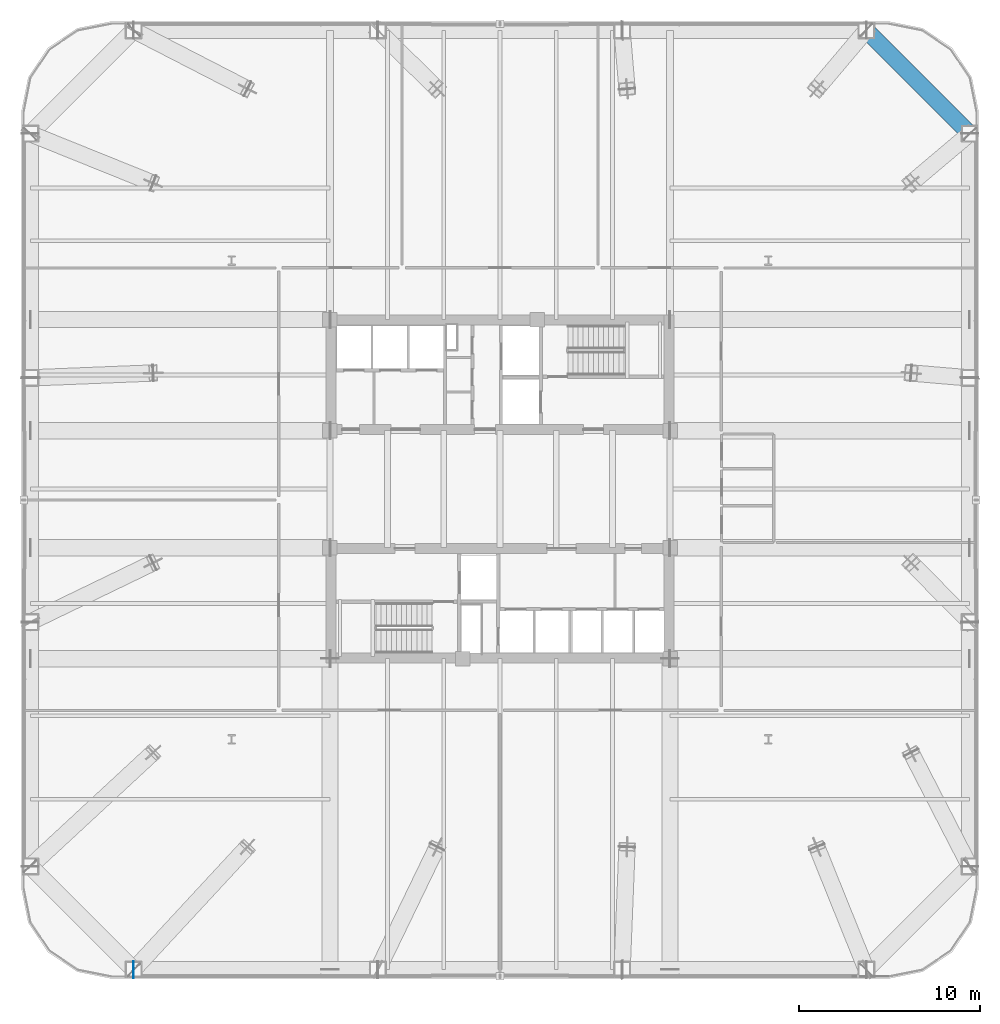
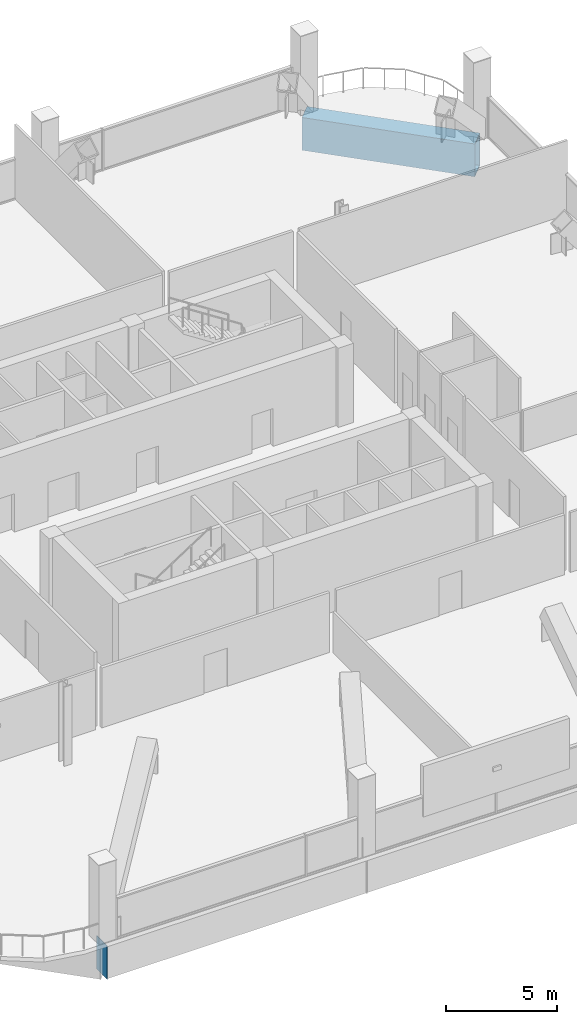
# One storey, part 25 of 38: 1 beam, 1 plate.
"""IFC4 building model written with IfcOpenShell, lengths in metres."""

from ifc_helpers import new_model, si_unit, direction, frame, origin, origin_2d, place, context, subcontext, project, spatial, rectangle, hollow_rectangle, extrude, material, layer, layer_set, material_profile, profile_set, type_object, element, save


model = new_model("IFC4")

# Units and contexts
model_context = context("Model", 3, precision=1e-05, world=origin(), true_north=direction((0.0, 1.0)))
body_context = subcontext(model_context, "Body", "Model", "MODEL_VIEW")
ifc_project = project(units=[si_unit("LENGTHUNIT", "METRE"), si_unit("AREAUNIT", "SQUARE_METRE"), si_unit("VOLUMEUNIT", "CUBIC_METRE"), si_unit("PLANEANGLEUNIT", "RADIAN"), si_unit("MASSUNIT", "GRAM", prefix="KILO")], contexts=[model_context])

# Site, building, storey
site_placement = place(None, origin())
site = spatial("IfcSite", under=ifc_project, at=site_placement, CompositionType="ELEMENT")
building_placement = place(site_placement, origin())
building = spatial("IfcBuilding", under=site, at=building_placement, Name="Qhalaya Broadcast Tower", CompositionType="ELEMENT")
storey_placement = place(building_placement, frame((0.0, 0.0, 53.550048828125)))
storey = spatial("IfcBuildingStorey", under=building, at=storey_placement, Name="L15", CompositionType="ELEMENT", Elevation=53.550048828125)

# Beam
ifc_material = material(Name="Structural Steel ASTM A572 Grade 50", Category="steel")
ifc_material_profile = material_profile(ifc_material, hollow_rectangle(XDim=0.89990234375, YDim=1.800048828125, WallThickness=0.06005859375, at=origin_2d()), Name="BOX 900x1800x60")
ifc_profile_set = profile_set([ifc_material_profile], Name="Structural Steel ASTM A572 Grade 50")
beam_type = type_object("IfcBeamType", Name="Block Cantilever Transfer Box Girder TG1", PredefinedType="USERDEFINED", material=ifc_profile_set)
beam_placement = place(storey_placement, frame((25.89990234375, 20.199951171875, -1.1201171875), z_axis=(-0.707106781187, 0.707106781187, 0.0), x_axis=(-0.707106781187, -0.707106781187, 0.0)))
element("IfcBeam", 1, at=beam_placement, inside=storey, type_object=beam_type, Name="L15 TG1 L15-SPR-08", ObjectType="GIRDER", PredefinedType="USERDEFINED", context=body_context, shape_type="SweptSolid", body=[
    extrude(hollow_rectangle(XDim=0.89990234375, YDim=1.800048828125, WallThickness=0.06005859375, at=origin_2d()), origin(), (0.0, 0.0, 1.0), 8.06103515625),
])

# Plate
ifc_layer = layer(ifc_material, 0.4599609375, Name="Structural Steel ASTM A572 Grade 50")
ifc_layer_set = layer_set([ifc_layer], Name="Structural Steel ASTM A572 Grade 50")
plate_type = type_object("IfcPlateType", Name="Hollow Box Member End Cap Plate CP-01", PredefinedType="USERDEFINED", material=ifc_layer_set)
plate_placement = place(storey_placement, frame((-20.216064453125, -25.89990234375, -2.0400390625), z_axis=(0.0, 0.0, 1.0), x_axis=(0.0, 1.0, 0.0)))
element("IfcPlate", 2, at=plate_placement, inside=storey, type_object=plate_type, Name="L15 Hollow Girder End Cap L15-SPR-01-A", ObjectType="COVER_PLATE", PredefinedType="USERDEFINED", context=body_context, shape_type="SweptSolid", body=[
    extrude(rectangle(XDim=0.93994140625, YDim=0.031982421875, at=origin_2d()), origin(), (0.0, 0.0, 1.0), 1.840087890625),
])

save(model, "model.ifc")
